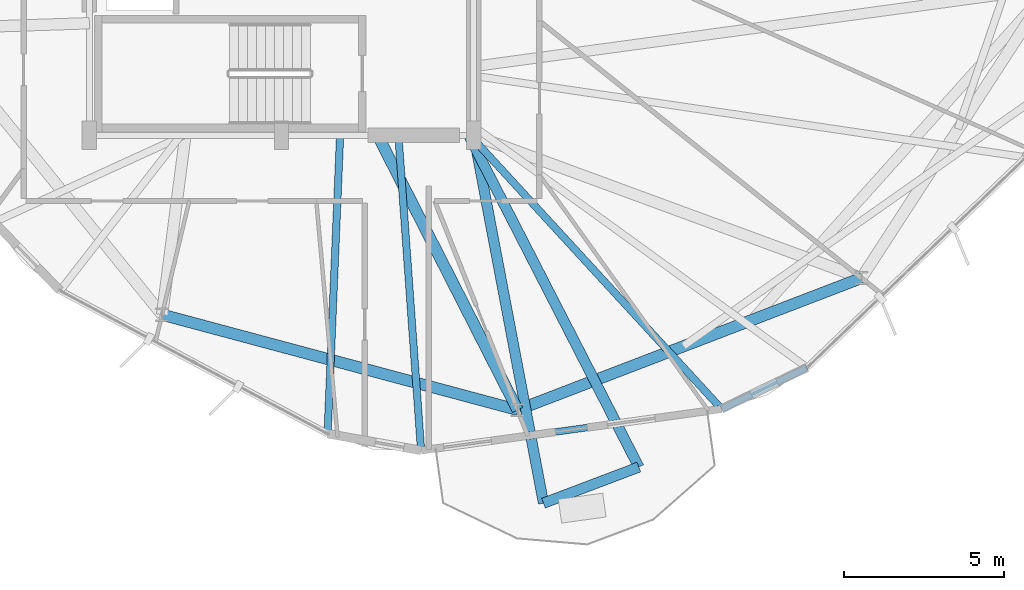
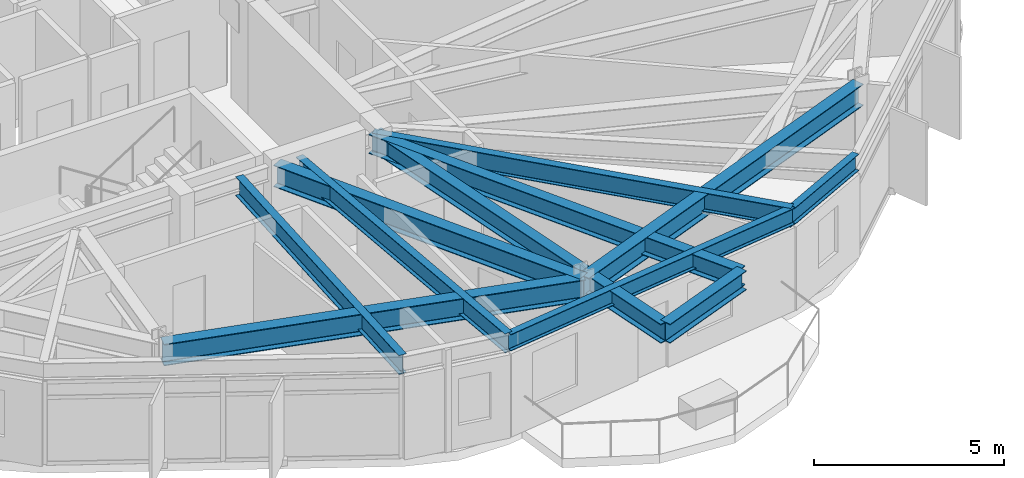
# One storey, part 5 of 26: 11 beams.
"""IFC4 building model written with IfcOpenShell, lengths in metres."""

from ifc_helpers import new_model, si_unit, direction, frame, origin, origin_2d, place, context, subcontext, project, spatial, i_section, extrude, material, material_profile, profile_set, type_object, element, save


model = new_model("IFC4")

# Units and contexts
model_context = context("Model", 3, precision=1e-05, world=origin(), true_north=direction((0.0, 1.0)))
body_context = subcontext(model_context, "Body", "Model", "MODEL_VIEW")
ifc_project = project(units=[si_unit("LENGTHUNIT", "METRE"), si_unit("AREAUNIT", "SQUARE_METRE"), si_unit("VOLUMEUNIT", "CUBIC_METRE"), si_unit("PLANEANGLEUNIT", "RADIAN"), si_unit("MASSUNIT", "GRAM", prefix="KILO")], contexts=[model_context])

# Site, building, storey
site_placement = place(None, origin())
site = spatial("IfcSite", under=ifc_project, at=site_placement, CompositionType="ELEMENT")
building_placement = place(site_placement, origin())
building = spatial("IfcBuilding", under=site, at=building_placement, Name="Soratama Intermodal Tower", CompositionType="ELEMENT")
storey_placement = place(building_placement, frame((0.0, 0.0, 194.199951171875)))
storey = spatial("IfcBuildingStorey", under=building, at=storey_placement, Name="L48", CompositionType="ELEMENT", Elevation=194.199951171875)

# Beams
ifc_material_1 = material(Name="Structural steel ASTM A992 Grade 50", Category="steel")
ifc_material_profile_1 = material_profile(ifc_material_1, i_section(OverallWidth=0.324951171875, OverallDepth=0.615966796875, WebThickness=0.013916015625, FlangeThickness=0.021484375, FilletRadius=0.013916015625, at=origin_2d()), Name="W24X117")
ifc_profile_set_1 = profile_set([ifc_material_profile_1], Name="Structural steel ASTM A992 Grade 50")
beam_type_1 = type_object("IfcBeamType", Name="BM-CANT-W24X117", PredefinedType="BEAM", material=ifc_profile_set_1)
beam_1_placement = place(storey_placement, frame((46.780029296875, 3.51611328125, 2.991943359375), z_axis=(0.935234103653, 0.354029901793, 0.0), x_axis=(-0.354029901793, 0.935234103653, 0.0)))
element("IfcBeam", 1, at=beam_1_placement, inside=storey, type_object=beam_type_1, Name="BM-L48-CBHDR-4", PredefinedType="BEAM", context=body_context, shape_type="SweptSolid", body=[
    extrude(i_section(OverallWidth=0.324951171875, OverallDepth=0.615966796875, WebThickness=0.013916015625, FlangeThickness=0.021484375, FilletRadius=0.013916015625, at=origin_2d()), origin(), (0.0, 0.0, 1.0), 3.18310546875),
])
beam_2_placement = place(storey_placement, frame((44.60693359375, 14.97509765625, 2.991943359375), z_axis=(0.186320412899, -0.98248903492, 0.0), x_axis=(0.98248903492, 0.186320412899, 0.0)))
element("IfcBeam", 2, at=beam_2_placement, inside=storey, type_object=beam_type_1, Name="BM-L48-CANT-4-1", PredefinedType="BEAM", context=body_context, shape_type="SweptSolid", body=[
    extrude(i_section(OverallWidth=0.324951171875, OverallDepth=0.615966796875, WebThickness=0.013916015625, FlangeThickness=0.021484375, FilletRadius=0.013916015625, at=origin_2d()), origin(), (0.0, 0.0, 1.0), 11.663330078125),
])
beam_3_placement = place(storey_placement, frame((44.462890625, 14.964111328125, 2.991943359375), z_axis=(0.456408514381, -0.889770345651, 0.0), x_axis=(0.889770345651, 0.456408514381, 0.0)))
element("IfcBeam", 3, at=beam_3_placement, inside=storey, type_object=beam_type_1, Name="BM-L48-CANT-4-2", PredefinedType="BEAM", context=body_context, shape_type="SweptSolid", body=[
    extrude(i_section(OverallWidth=0.324951171875, OverallDepth=0.615966796875, WebThickness=0.013916015625, FlangeThickness=0.021484375, FilletRadius=0.013916015625, at=origin_2d()), origin(), (0.0, 0.0, 1.0), 11.599609375),
])
ifc_material_2 = material(Name="Structural steel ASTM A992 Grade 50", Category="steel")
ifc_material_profile_2 = material_profile(ifc_material_2, i_section(OverallWidth=0.35498046875, OverallDepth=0.695068359375, WebThickness=0.015380859375, FlangeThickness=0.02490234375, FilletRadius=0.01611328125, at=origin_2d()), Name="W27X146")
ifc_profile_set_2 = profile_set([ifc_material_profile_2], Name="Structural steel ASTM A992 Grade 50")
beam_type_2 = type_object("IfcBeamType", Name="BM-RING-W27X146", PredefinedType="BEAM", material=ifc_profile_set_2)
beam_4_placement = place(storey_placement, frame((34.8701171875, 9.40087890625, 2.95263671875), z_axis=(0.965928616227, -0.258808632687, 0.0), x_axis=(0.258808632687, 0.965928616227, 0.0)))
element("IfcBeam", 4, at=beam_4_placement, inside=storey, type_object=beam_type_2, Name="BM-L48-RING-07", PredefinedType="BEAM", context=body_context, shape_type="SweptSolid", body=[
    extrude(i_section(OverallWidth=0.35498046875, OverallDepth=0.695068359375, WebThickness=0.015380859375, FlangeThickness=0.02490234375, FilletRadius=0.01611328125, at=origin_2d()), origin(), (0.0, 0.0, 1.0), 11.494384765625),
])
beam_5_placement = place(storey_placement, frame((45.972900390625, 6.426025390625, 2.95263671875), z_axis=(0.933603724339, 0.358307250695, 0.0), x_axis=(-0.358307250695, 0.933603724339, 0.0)))
element("IfcBeam", 5, at=beam_5_placement, inside=storey, type_object=beam_type_2, Name="BM-L48-RING-08", PredefinedType="BEAM", context=body_context, shape_type="SweptSolid", body=[
    extrude(i_section(OverallWidth=0.35498046875, OverallDepth=0.695068359375, WebThickness=0.015380859375, FlangeThickness=0.02490234375, FilletRadius=0.01611328125, at=origin_2d()), origin(), (0.0, 0.0, 1.0), 11.495361328125),
])
beam_6_placement = place(storey_placement, frame((41.60009765625, 15.0, 2.95263671875), z_axis=(0.454332323157, -0.890832273851, 0.0), x_axis=(0.890832273851, 0.454332323157, 0.0)))
element("IfcBeam", 6, at=beam_6_placement, inside=storey, type_object=beam_type_2, Name="BM-L48-RAD-08", PredefinedType="BEAM", context=body_context, shape_type="SweptSolid", body=[
    extrude(i_section(OverallWidth=0.35498046875, OverallDepth=0.695068359375, WebThickness=0.015380859375, FlangeThickness=0.02490234375, FilletRadius=0.01611328125, at=origin_2d()), origin(), (0.0, 0.0, 1.0), 9.624755859375),
])
ifc_material_3 = material(Name="Structural steel ASTM A992 Grade 50", Category="steel")
ifc_material_profile_3 = material_profile(ifc_material_3, i_section(OverallWidth=0.2099609375, OverallDepth=0.537109375, WebThickness=0.010986328125, FlangeThickness=0.017333984375, FilletRadius=0.012939453125, at=origin_2d()), Name="W21X68")
ifc_profile_set_3 = profile_set([ifc_material_profile_3], Name="Structural steel ASTM A992 Grade 50")
beam_type_3 = type_object("IfcBeamType", Name="BM-SPN-W21X68", PredefinedType="SPANDREL", material=ifc_profile_set_3)
beam_7_placement = place(storey_placement, frame((42.9580078125, 5.159912109375, 3.031494140625), z_axis=(0.9906075301, 0.136735954705, 0.0), x_axis=(-0.136735954705, 0.9906075301, 0.0)))
element("IfcBeam", 7, at=beam_7_placement, inside=storey, type_object=beam_type_3, Name="BS-L48-F07", PredefinedType="SPANDREL", context=body_context, shape_type="SweptSolid", body=[
    extrude(i_section(OverallWidth=0.2099609375, OverallDepth=0.537109375, WebThickness=0.010986328125, FlangeThickness=0.017333984375, FilletRadius=0.012939453125, at=origin_2d()), origin(), (0.0, 0.0, 1.0), 9.471923828125),
])
beam_8_placement = place(storey_placement, frame((52.341064453125, 6.455078125, 3.031494140625), z_axis=(0.899825856868, 0.43624927199, 0.0), x_axis=(-0.43624927199, 0.899825856868, 0.0)))
element("IfcBeam", 8, at=beam_8_placement, inside=storey, type_object=beam_type_3, Name="BS-L48-CRN07", PredefinedType="SPANDREL", context=body_context, shape_type="SweptSolid", body=[
    extrude(i_section(OverallWidth=0.2099609375, OverallDepth=0.537109375, WebThickness=0.010986328125, FlangeThickness=0.017333984375, FilletRadius=0.012939453125, at=origin_2d()), origin(), (0.0, 0.0, 1.0), 2.966064453125),
])
ifc_material_4 = material(Name="Structural steel ASTM A992 Grade 50", Category="steel")
ifc_material_profile_4 = material_profile(ifc_material_4, i_section(OverallWidth=0.22900390625, OverallDepth=0.612060546875, WebThickness=0.011962890625, FlangeThickness=0.01953125, FilletRadius=0.012939453125, at=origin_2d()), Name="W24X84")
ifc_profile_set_4 = profile_set([ifc_material_profile_4], Name="Structural steel ASTM A992 Grade 50")
beam_type_4 = type_object("IfcBeamType", Name="BM-TIE-W24X84", PredefinedType="BEAM", material=ifc_profile_set_4)
beam_9_placement = place(storey_placement, frame((40.427978515625, 14.9599609375, 2.994140625), z_axis=(-0.041985942369, -0.999118201537, 0.0), x_axis=(0.999118201537, -0.041985942369, 0.0)))
element("IfcBeam", 9, at=beam_9_placement, inside=storey, type_object=beam_type_4, Name="BM-L48-TIE1-06", PredefinedType="BEAM", context=body_context, shape_type="SweptSolid", body=[
    extrude(i_section(OverallWidth=0.22900390625, OverallDepth=0.612060546875, WebThickness=0.011962890625, FlangeThickness=0.01953125, FilletRadius=0.012939453125, at=origin_2d()), origin(), (0.0, 0.0, 1.0), 9.286376953125),
])
beam_10_placement = place(storey_placement, frame((42.251953125, 14.9599609375, 2.994140625), z_axis=(0.071859780281, -0.997414744215, 0.0), x_axis=(0.997414744215, 0.071859780281, 0.0)))
element("IfcBeam", 10, at=beam_10_placement, inside=storey, type_object=beam_type_4, Name="BM-L48-TIE0-07", PredefinedType="BEAM", context=body_context, shape_type="SweptSolid", body=[
    extrude(i_section(OverallWidth=0.22900390625, OverallDepth=0.612060546875, WebThickness=0.011962890625, FlangeThickness=0.01953125, FilletRadius=0.012939453125, at=origin_2d()), origin(), (0.0, 0.0, 1.0), 9.825439453125),
])
beam_11_placement = place(storey_placement, frame((44.511962890625, 14.970947265625, 2.994140625), z_axis=(0.676799076403, -0.736167786704, 0.0), x_axis=(0.736167786704, 0.676799076403, 0.0)))
element("IfcBeam", 11, at=beam_11_placement, inside=storey, type_object=beam_type_4, Name="BM-L48-TIE1-07", PredefinedType="BEAM", context=body_context, shape_type="SweptSolid", body=[
    extrude(i_section(OverallWidth=0.22900390625, OverallDepth=0.612060546875, WebThickness=0.011962890625, FlangeThickness=0.01953125, FilletRadius=0.012939453125, at=origin_2d()), origin(), (0.0, 0.0, 1.0), 11.56787109375),
])

save(model, "model.ifc")
